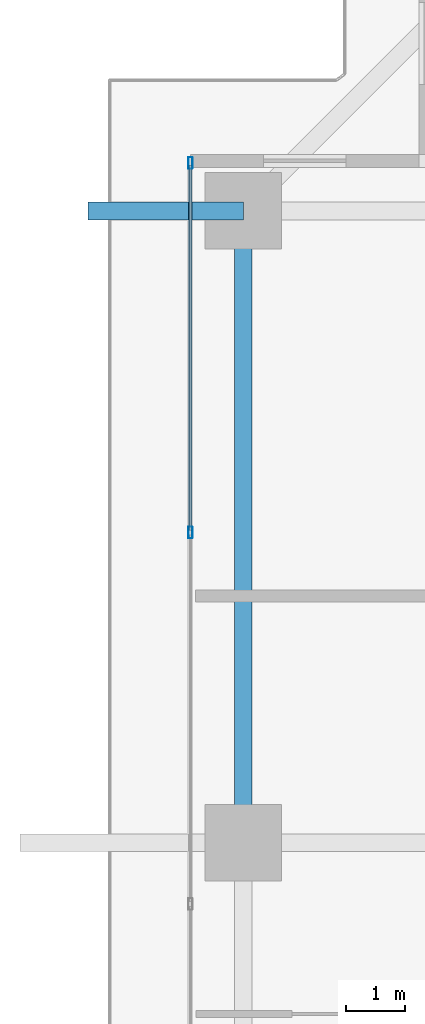
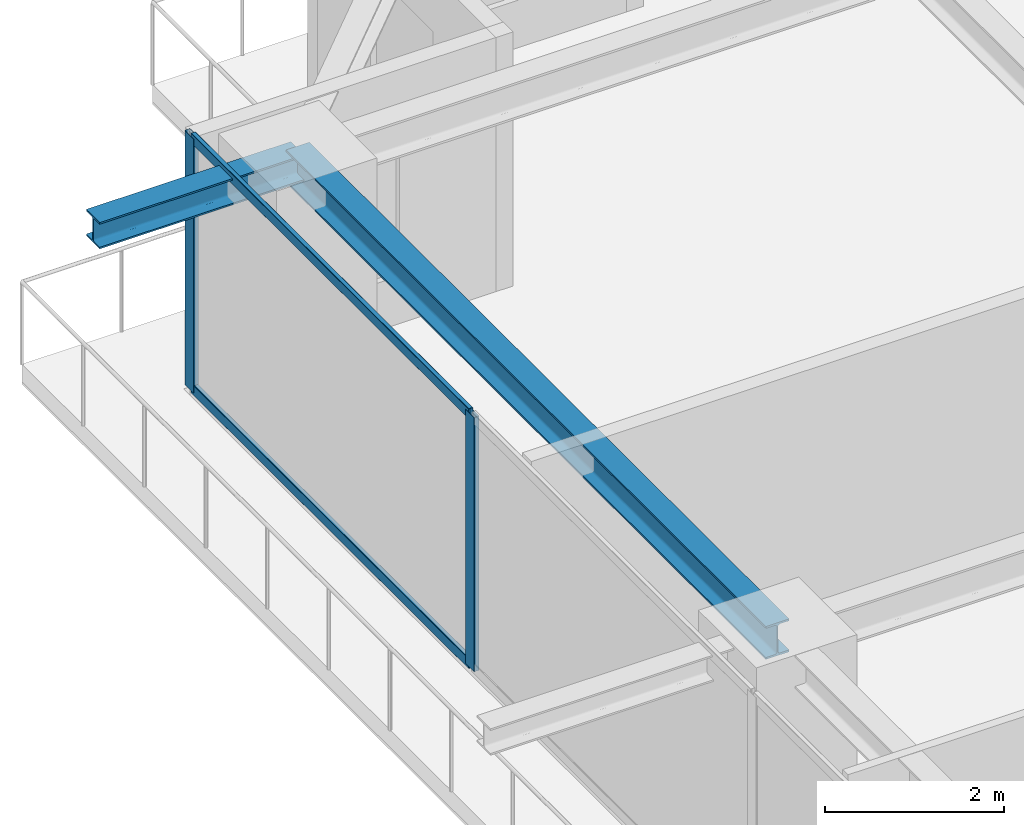
# One storey, part 15 of 34: 4 members, 2 beams, 1 element without a shape of its own.
"""IFC4 building model written with IfcOpenShell, lengths in metres."""

from ifc_helpers import new_model, si_unit, direction, frame, origin, origin_2d, place, context, subcontext, project, spatial, hollow_rectangle, i_section, extrude, source, transform, mapped, material, layer, layer_set, material_profile, profile_set, type_object, element, aggregate, save


model = new_model("IFC4")

# Units and contexts
model_context = context("Model", 3, precision=1e-05, world=origin(), true_north=direction((0.0, 1.0)))
body_context = subcontext(model_context, "Body", "Model", "MODEL_VIEW")
ifc_project = project(units=[si_unit("LENGTHUNIT", "METRE"), si_unit("AREAUNIT", "SQUARE_METRE"), si_unit("VOLUMEUNIT", "CUBIC_METRE"), si_unit("PLANEANGLEUNIT", "RADIAN"), si_unit("MASSUNIT", "GRAM", prefix="KILO")], contexts=[model_context])

# Site, building, storey
site_placement = place(None, origin())
site = spatial("IfcSite", under=ifc_project, at=site_placement, CompositionType="ELEMENT")
building_placement = place(site_placement, origin())
building = spatial("IfcBuilding", under=site, at=building_placement, Name="Serunith Strait Residences", CompositionType="ELEMENT")
storey_placement = place(building_placement, frame((0.0, 0.0, 135.14990234375)))
storey = spatial("IfcBuildingStorey", under=building, at=storey_placement, Name="L33", CompositionType="ELEMENT", Elevation=135.14990234375)

# Beams
ifc_material_1 = material(Name="Steel S355J2", Category="steel")
ifc_material_profile_1 = material_profile(ifc_material_1, i_section(OverallWidth=0.300048828125, OverallDepth=0.449951171875, WebThickness=0.013916015625, FlangeThickness=0.02587890625, FilletRadius=0.027099609375, at=origin_2d()), Name="HEB 450")
ifc_profile_set_1 = profile_set([ifc_material_profile_1], Name="Steel S355J2")
beam_type_1 = type_object("IfcBeamType", Name="BM-HEB450", PredefinedType="BEAM", material=ifc_profile_set_1)
shared_shape_1 = source(origin(), body_context, "Body", "SweptSolid", [
    extrude(i_section(OverallWidth=0.300048828125, OverallDepth=0.449951171875, WebThickness=0.013916015625, FlangeThickness=0.02587890625, FilletRadius=0.027099609375, at=origin_2d()), origin(), (0.0, 0.0, 1.0), 10.75),
])
beam_1_placement = place(storey_placement, frame((8.699951171875, 40.14990234375, 3.26220703125), z_axis=(0.0, -1.0, 0.0), x_axis=(1.0, 0.0, 0.0)))
element("IfcBeam", 1, at=beam_1_placement, inside=storey, type_object=beam_type_1, Name="L33 Perimeter Ring Beam 13", PredefinedType="BEAM", context=body_context, shape_type="MappedRepresentation", body=[
    mapped(shared_shape_1, transform((0.0, 0.0, 0.0), scale=1.0)),
])
ifc_material_profile_2 = material_profile(ifc_material_1, i_section(OverallWidth=0.300048828125, OverallDepth=0.360107421875, WebThickness=0.012451171875, FlangeThickness=0.0224609375, FilletRadius=0.027099609375, at=origin_2d()), Name="HEB 360")
ifc_profile_set_2 = profile_set([ifc_material_profile_2], Name="Steel S355J2")
beam_type_2 = type_object("IfcBeamType", Name="BM-HEB360", PredefinedType="BEAM", material=ifc_profile_set_2)
shared_shape_2 = source(origin(), body_context, "Body", "SweptSolid", [
    extrude(i_section(OverallWidth=0.300048828125, OverallDepth=0.360107421875, WebThickness=0.012451171875, FlangeThickness=0.0224609375, FilletRadius=0.027099609375, at=origin_2d()), origin(), (0.0, 0.0, 1.0), 2.6474609375),
])
beam_2_placement = place(storey_placement, frame((8.699951171875, 40.14990234375, 3.277099609375), z_axis=(-1.0, 0.0, 0.0), x_axis=(0.0, -1.0, 0.0)))
element("IfcBeam", 2, at=beam_2_placement, inside=storey, type_object=beam_type_2, Name="L34 Cantilevered Balcony Rib TC-W4", PredefinedType="BEAM", context=body_context, shape_type="MappedRepresentation", body=[
    mapped(shared_shape_2, transform((0.0, 0.0, 0.0), scale=1.0)),
])

# Curtain wall, members
ifc_material_2 = material(Name="Pale-Champagne Anodised Aluminium", Category="aluminium")
ifc_layer = layer(ifc_material_2, 0.199951171875, Name="Pale-Champagne Anodised Aluminium")
ifc_layer_set = layer_set([ifc_layer], Name="Pale-Champagne Anodised Aluminium")
curtain_wall_type = type_object("IfcCurtainWallType", Name="CW-SYS2", PredefinedType="NOTDEFINED", material=ifc_layer_set)
curtain_wall_placement = place(storey_placement, origin())
curtain_wall = element("IfcCurtainWall", 3, at=curtain_wall_placement, inside=storey, type_object=curtain_wall_type, Name="L33 W Unitised Fritted Curtain Wall", PredefinedType="NOTDEFINED")
ifc_material_profile_3 = material_profile(ifc_material_2, hollow_rectangle(XDim=0.070068359375, YDim=0.199951171875, WallThickness=0.00390625, InnerFilletRadius=0.006103515625, OuterFilletRadius=0.010009765625, at=origin_2d()), Name="ALU 200x70x4")
ifc_profile_set_3 = profile_set([ifc_material_profile_3], Name="Pale-Champagne Anodised Aluminium")
member_type_1 = type_object("IfcMemberType", Name="CW-SYS2-MULL", PredefinedType="MULLION", material=ifc_profile_set_3)
shared_shape_3 = source(origin(), body_context, "Body", "SweptSolid", [
    extrude(hollow_rectangle(XDim=0.070068359375, YDim=0.199951171875, WallThickness=0.00390625, InnerFilletRadius=0.006103515625, OuterFilletRadius=0.010009765625, at=origin_2d()), origin(), (0.0, 0.0, 1.0), 3.47509765625),
])
member_1_placement = place(storey_placement, frame((7.800048828125, 40.965087890625, 0.0), z_axis=(0.0, 0.0, 1.0), x_axis=(1.0, 0.0, 0.0)))
member_1 = element("IfcMember", 4, at=member_1_placement, type_object=member_type_1, Name="CW-2 mullion 1", PredefinedType="MULLION", context=body_context, shape_type="MappedRepresentation", body=[
    mapped(shared_shape_3, transform((0.0, 0.0, 0.0), scale=1.0)),
])
member_2_placement = place(storey_placement, frame((7.800048828125, 34.679931640625, 0.0), z_axis=(0.0, 0.0, 1.0), x_axis=(1.0, 0.0, 0.0)))
member_2 = element("IfcMember", 5, at=member_2_placement, type_object=member_type_1, Name="CW-2 mullion 2", PredefinedType="MULLION", context=body_context, shape_type="MappedRepresentation", body=[
    mapped(shared_shape_3, transform((0.0, 0.0, 0.0), scale=1.0)),
])
ifc_material_profile_4 = material_profile(ifc_material_2, hollow_rectangle(XDim=0.06005859375, YDim=0.139892578125, WallThickness=0.00341796875, InnerFilletRadius=0.00537109375, OuterFilletRadius=0.0087890625, at=origin_2d()), Name="ALU 140x60x3.5")
ifc_profile_set_4 = profile_set([ifc_material_profile_4], Name="Pale-Champagne Anodised Aluminium")
member_type_2 = type_object("IfcMemberType", Name="CW-SYS2-TRAN", PredefinedType="USERDEFINED", material=ifc_profile_set_4)
shared_shape_4 = source(origin(), body_context, "Body", "SweptSolid", [
    extrude(hollow_rectangle(XDim=0.06005859375, YDim=0.139892578125, WallThickness=0.00341796875, InnerFilletRadius=0.00537109375, OuterFilletRadius=0.0087890625, at=origin_2d()), origin(), (0.0, 0.0, 1.0), 6.21484375),
])
member_3_placement = place(storey_placement, frame((7.800048828125, 40.929931640625, 0.030029296875), z_axis=(0.0, -1.0, 0.0), x_axis=(1.0, 0.0, 0.0)))
member_3 = element("IfcMember", 6, at=member_3_placement, type_object=member_type_2, Name="CW-2 transom 1.1", ObjectType="TRANSOM", PredefinedType="USERDEFINED", context=body_context, shape_type="MappedRepresentation", body=[
    mapped(shared_shape_4, transform((0.0, 0.0, 0.0), scale=1.0)),
])
member_4_placement = place(storey_placement, frame((7.800048828125, 40.929931640625, 3.445068359375), z_axis=(0.0, -1.0, 0.0), x_axis=(1.0, 0.0, 0.0)))
member_4 = element("IfcMember", 7, at=member_4_placement, type_object=member_type_2, Name="CW-2 transom 1.2", ObjectType="TRANSOM", PredefinedType="USERDEFINED", context=body_context, shape_type="MappedRepresentation", body=[
    mapped(shared_shape_4, transform((0.0, 0.0, 0.0), scale=1.0)),
])
aggregate(curtain_wall, [member_1, member_2, member_3, member_4])

save(model, "model.ifc")
